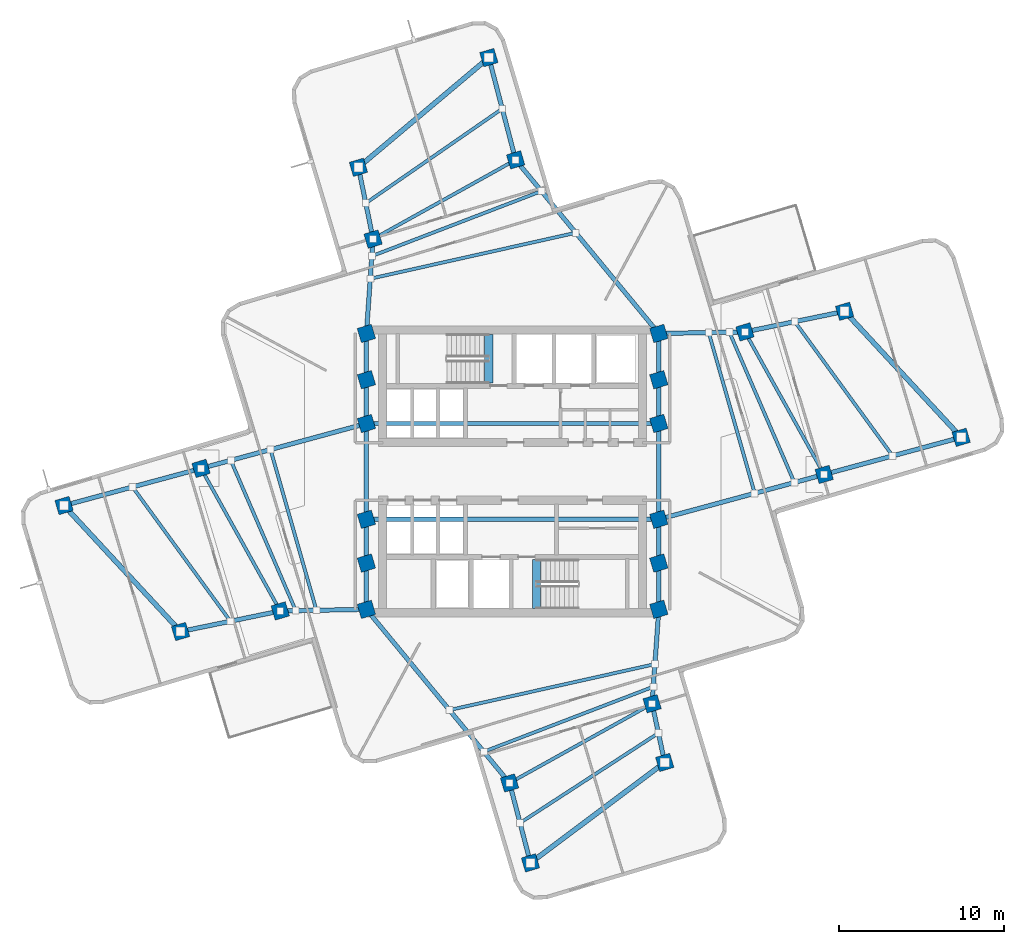
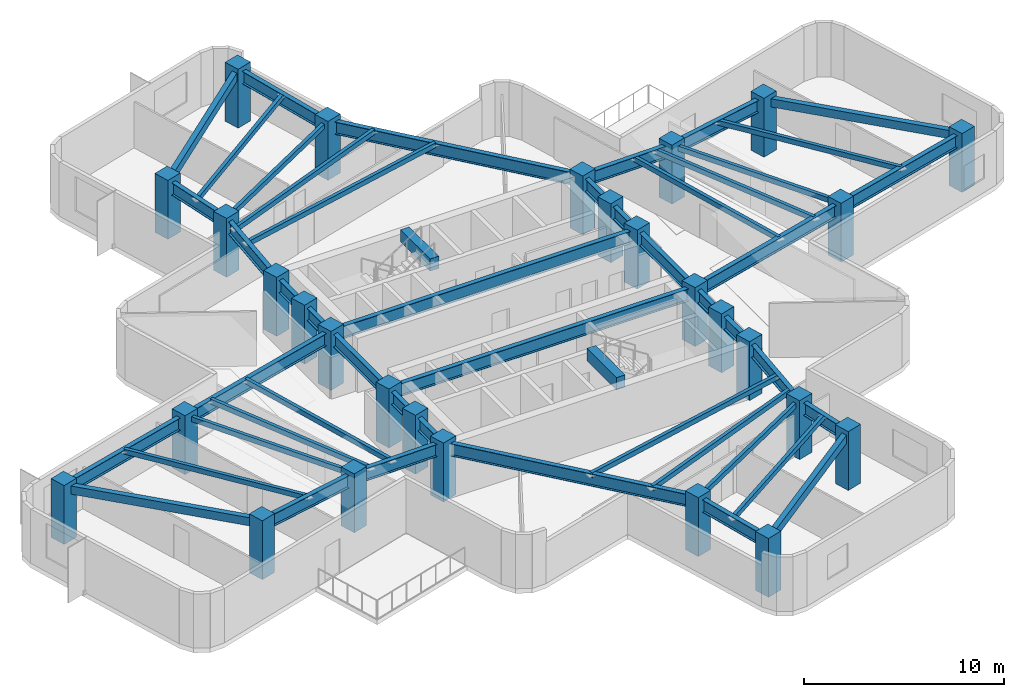
# One storey, part 1 of 8: 50 beams, 28 columns.
"""IFC4 building model written with IfcOpenShell, lengths in metres."""

from ifc_helpers import new_model, si_unit, direction, frame, origin, origin_2d, place, context, subcontext, project, spatial, rectangle, hollow_rectangle, i_section, extrude, material, material_profile, profile_set, type_object, element, save


model = new_model("IFC4")

# Units and contexts
model_context = context("Model", 3, precision=1e-05, world=origin(), true_north=direction((0.0, 1.0)))
body_context = subcontext(model_context, "Body", "Model", "MODEL_VIEW")
ifc_project = project(units=[si_unit("LENGTHUNIT", "METRE"), si_unit("AREAUNIT", "SQUARE_METRE"), si_unit("VOLUMEUNIT", "CUBIC_METRE"), si_unit("PLANEANGLEUNIT", "RADIAN"), si_unit("MASSUNIT", "GRAM", prefix="KILO")], contexts=[model_context])

# Site, building, storey
site_placement = place(None, origin())
site = spatial("IfcSite", under=ifc_project, at=site_placement, CompositionType="ELEMENT")
building_placement = place(site_placement, origin())
building = spatial("IfcBuilding", under=site, at=building_placement, Name="Solmarez Civic Tower", CompositionType="ELEMENT")
storey_placement = place(building_placement, frame((0.0, 0.0, 145.080078125)))
storey = spatial("IfcBuildingStorey", under=building, at=storey_placement, Name="L38", CompositionType="ELEMENT", Elevation=145.080078125)

# Columns
ifc_material_1 = material(Name="Concrete C50/60", Category="concrete")
ifc_material_profile_1 = material_profile(ifc_material_1, rectangle(XDim=0.89990234375, YDim=0.89990234375, at=origin_2d()), Name="RC900X900")
ifc_profile_set_1 = profile_set([ifc_material_profile_1], Name="Concrete C50/60")
column_type = type_object("IfcColumnType", Name="COL-RC900", PredefinedType="COLUMN", material=ifc_profile_set_1)
for number, where, z_axis, x_axis, name in (
    (1, (-8.85009765625, -5.550048828125, 0.0), (0.0, 0.0, 1.0), (0.958322574465, 0.285688367405, 0.0), "L38 Structural Column HC1"),
    (2, (-8.85009765625, -2.89990234375, 0.0), (0.0, 0.0, 1.0), (0.958322574465, 0.285688367405, 0.0), "L38 Structural Column HC2"),
    (3, (-8.85009765625, 2.89990234375, 0.0), (0.0, 0.0, 1.0), (0.958322574465, 0.285688367405, 0.0), "L38 Structural Column HC3"),
    (4, (-8.85009765625, 5.550048828125, 0.0), (0.0, 0.0, 1.0), (0.958322574465, 0.285688367405, 0.0), "L38 Structural Column HC4"),
    (5, (8.85009765625, -5.550048828125, 0.0), (0.0, 0.0, 1.0), (0.958322574465, 0.285688367405, 0.0), "L38 Structural Column HC5"),
    (6, (8.85009765625, -2.89990234375, 0.0), (0.0, 0.0, 1.0), (0.958322574465, 0.285688367405, 0.0), "L38 Structural Column HC6"),
    (7, (8.85009765625, 2.89990234375, 0.0), (0.0, 0.0, 1.0), (0.958322574465, 0.285688367405, 0.0), "L38 Structural Column HC7"),
    (8, (8.85009765625, 5.550048828125, 0.0), (0.0, 0.0, 1.0), (0.958322574465, 0.285688367405, 0.0), "L38 Structural Column HC8"),
    (9, (-8.85009765625, 8.35009765625, 0.0), (0.0, 0.0, 1.0), (0.958322574465, 0.285688367405, 0.0), "L38 Structural Column HC9"),
    (10, (8.85009765625, -8.35009765625, 0.0), (0.0, 0.0, 1.0), (0.958322574465, 0.285688367405, 0.0), "L38 Structural Column HC10"),
    (11, (8.85009765625, 8.35009765625, 0.0), (0.0, 0.0, 1.0), (0.958322574465, 0.285688367405, 0.0), "L38 Structural Column HC11"),
    (12, (-8.85009765625, -8.35009765625, 0.0), (0.0, 0.0, 1.0), (0.958322574465, 0.285688367405, 0.0), "L38 Structural Column HC12"),
    (13, (18.860107421875, -0.18310546875, 0.0), (0.0, 0.0, 1.0), (0.958322574465, 0.285688367405, 0.0), "L38 Structural Column EA11"),
    (14, (14.06396484375, 8.445068359375, 0.0), (0.0, 0.0, 1.0), (0.958322574465, 0.285688367405, 0.0), "L38 Structural Column EA12"),
    (15, (27.153076171875, 2.06396484375, 0.0), (0.0, 0.0, 1.0), (0.958322574465, 0.285688367405, 0.0), "L38 Structural Column EA21"),
    (16, (20.097900390625, 9.69189453125, 0.0), (0.0, 0.0, 1.0), (0.958322574465, 0.285688367405, 0.0), "L38 Structural Column EA22"),
    (17, (0.18310546875, 18.860107421875, 0.0), (0.0, 0.0, 1.0), (0.958322574465, 0.285688367405, 0.0), "L38 Structural Column NA11"),
    (18, (-8.445068359375, 14.06396484375, 0.0), (0.0, 0.0, 1.0), (0.958322574465, 0.285688367405, 0.0), "L38 Structural Column NA12"),
    (19, (-1.43701171875, 25.052001953125, 0.0), (0.0, 0.0, 1.0), (0.958322574465, 0.285688367405, 0.0), "L38 Structural Column NA21"),
    (20, (-9.3330078125, 18.408935546875, 0.0), (0.0, 0.0, 1.0), (0.958322574465, 0.285688367405, 0.0), "L38 Structural Column NA22"),
    (21, (-18.860107421875, 0.18310546875, 0.0), (0.0, 0.0, 1.0), (0.958322574465, 0.285688367405, 0.0), "L38 Structural Column WA11"),
    (22, (-14.06396484375, -8.445068359375, 0.0), (0.0, 0.0, 1.0), (0.958322574465, 0.285688367405, 0.0), "L38 Structural Column WA12"),
    (23, (-27.153076171875, -2.06396484375, 0.0), (0.0, 0.0, 1.0), (0.958322574465, 0.285688367405, 0.0), "L38 Structural Column WA21"),
    (24, (-20.097900390625, -9.69189453125, 0.0), (0.0, 0.0, 1.0), (0.958322574465, 0.285688367405, 0.0), "L38 Structural Column WA22"),
    (25, (-0.18310546875, -18.860107421875, 0.0), (0.0, 0.0, 1.0), (0.958322574465, 0.285688367405, 0.0), "L38 Structural Column SA11"),
    (26, (8.445068359375, -14.06396484375, 0.0), (0.0, 0.0, 1.0), (0.958322574465, 0.285688367405, 0.0), "L38 Structural Column SA12"),
    (27, (1.0830078125, -23.697021484375, 0.0), (0.0, 0.0, 1.0), (0.958322574465, 0.285688367405, 0.0), "L38 Structural Column SA21"),
    (28, (9.2080078125, -17.614990234375, 0.0), (0.0, 0.0, 1.0), (0.958322574465, 0.285688367405, 0.0), "L38 Structural Column SA22"),
):
    element("IfcColumn", number, at=place(storey_placement, frame(where, z_axis=z_axis, x_axis=x_axis)), inside=storey, type_object=column_type, Name=name, PredefinedType="COLUMN", context=body_context, shape_type="SweptSolid", body=[
        extrude(rectangle(XDim=0.89990234375, YDim=0.89990234375, at=origin_2d()), origin(), (0.0, 0.0, 1.0), 3.599853515625),
    ])

# Beams
ifc_material_2 = material(Name="Steel S355", Category="steel")
ifc_material_profile_2 = material_profile(ifc_material_2, hollow_rectangle(XDim=0.199951171875, YDim=0.300048828125, WallThickness=0.011962890625, at=origin_2d()), Name="HSS300X200X12")
ifc_profile_set_2 = profile_set([ifc_material_profile_2], Name="Steel S355")
beam_type_1 = type_object("IfcBeamType", Name="BM-JS-HSS300X200", PredefinedType="JOIST", material=ifc_profile_set_2)
beam_1_placement = place(storey_placement, frame((18.860107421875, -0.18310546875, 3.169921875), z_axis=(-0.485852902718, 0.874040592261, 0.0), x_axis=(-0.874040592261, -0.485852902718, 0.0)))
element("IfcBeam", 29, at=beam_1_placement, inside=storey, type_object=beam_type_1, Name="L38 Secondary Floor Joist BM-L38-EA-T1", PredefinedType="JOIST", context=body_context, shape_type="SweptSolid", body=[
    extrude(hollow_rectangle(XDim=0.199951171875, YDim=0.300048828125, WallThickness=0.011962890625, at=origin_2d()), origin(), (0.0, 0.0, 1.0), 9.87158203125),
])
beam_2_placement = place(storey_placement, frame((23.006103515625, 0.94091796875, 3.169921875), z_axis=(-0.589058914091, 0.808090091345, 0.0), x_axis=(-0.808090091345, -0.589058914091, 0.0)))
element("IfcBeam", 30, at=beam_2_placement, inside=storey, type_object=beam_type_1, Name="L38 Secondary Floor Joist JS-L38-EA-M2", PredefinedType="JOIST", context=body_context, shape_type="SweptSolid", body=[
    extrude(hollow_rectangle(XDim=0.199951171875, YDim=0.300048828125, WallThickness=0.011962890625, at=origin_2d()), origin(), (0.0, 0.0, 1.0), 10.05859375),
])
beam_3_placement = place(storey_placement, frame((14.656005859375, -1.323974609375, 3.169921875), z_axis=(-0.27492825036, 0.961464745664, 0.0), x_axis=(-0.961464745664, -0.27492825036, 0.0)))
element("IfcBeam", 31, at=beam_3_placement, inside=storey, type_object=beam_type_1, Name="L38 Secondary Floor Joist JS-L38-EA-M11", PredefinedType="JOIST", context=body_context, shape_type="SweptSolid", body=[
    extrude(hollow_rectangle(XDim=0.199951171875, YDim=0.300048828125, WallThickness=0.011962890625, at=origin_2d()), origin(), (0.0, 0.0, 1.0), 10.118896484375),
])
beam_4_placement = place(storey_placement, frame((17.05810546875, -0.672119140625, 3.169921875), z_axis=(-0.396735074316, 0.917933157048, 0.0), x_axis=(-0.917933157048, -0.396735074316, 0.0)))
element("IfcBeam", 32, at=beam_4_placement, inside=storey, type_object=beam_type_1, Name="L38 Secondary Floor Joist JS-L38-EA-M12", PredefinedType="JOIST", context=body_context, shape_type="SweptSolid", body=[
    extrude(hollow_rectangle(XDim=0.199951171875, YDim=0.300048828125, WallThickness=0.011962890625, at=origin_2d()), origin(), (0.0, 0.0, 1.0), 9.91357421875),
])
beam_5_placement = place(storey_placement, frame((0.18310546875, 18.860107421875, 3.169921875), z_axis=(-0.874040592261, -0.485852902718, 0.0), x_axis=(0.485852902718, -0.874040592261, 0.0)))
element("IfcBeam", 33, at=beam_5_placement, inside=storey, type_object=beam_type_1, Name="L38 Secondary Floor Joist BM-L38-NA-T1", PredefinedType="JOIST", context=body_context, shape_type="SweptSolid", body=[
    extrude(hollow_rectangle(XDim=0.199951171875, YDim=0.300048828125, WallThickness=0.011962890625, at=origin_2d()), origin(), (0.0, 0.0, 1.0), 9.87158203125),
])
beam_6_placement = place(storey_placement, frame((-0.626953125, 21.9560546875, 3.169921875), z_axis=(-0.822185194468, -0.56922008573, 0.0), x_axis=(0.56922008573, -0.822185194468, 0.0)))
element("IfcBeam", 34, at=beam_6_placement, inside=storey, type_object=beam_type_1, Name="L38 Secondary Floor Joist JS-L38-NA-M2", PredefinedType="JOIST", context=body_context, shape_type="SweptSolid", body=[
    extrude(hollow_rectangle(XDim=0.199951171875, YDim=0.300048828125, WallThickness=0.011962890625, at=origin_2d()), origin(), (0.0, 0.0, 1.0), 10.048828125),
])
beam_7_placement = place(storey_placement, frame((3.822998046875, 14.446044921875, 3.169921875), z_axis=(-0.975887310906, -0.218274955988, 0.0), x_axis=(0.218274955988, -0.975887310906, 0.0)))
element("IfcBeam", 35, at=beam_7_placement, inside=storey, type_object=beam_type_1, Name="L38 Secondary Floor Joist JS-L38-NA-M11", PredefinedType="JOIST", context=body_context, shape_type="SweptSolid", body=[
    extrude(hollow_rectangle(XDim=0.199951171875, YDim=0.300048828125, WallThickness=0.011962890625, at=origin_2d()), origin(), (0.0, 0.0, 1.0), 12.745361328125),
])
beam_8_placement = place(storey_placement, frame((1.742919921875, 16.968017578125, 3.169921875), z_axis=(-0.933754408709, -0.357914381125, 0.0), x_axis=(0.357914381125, -0.933754408709, 0.0)))
element("IfcBeam", 36, at=beam_8_placement, inside=storey, type_object=beam_type_1, Name="L38 Secondary Floor Joist JS-L38-NA-M12", PredefinedType="JOIST", context=body_context, shape_type="SweptSolid", body=[
    extrude(hollow_rectangle(XDim=0.199951171875, YDim=0.300048828125, WallThickness=0.011962890625, at=origin_2d()), origin(), (0.0, 0.0, 1.0), 10.989013671875),
])
beam_9_placement = place(storey_placement, frame((-18.860107421875, 0.18310546875, 3.169921875), z_axis=(0.485852902718, -0.874040592261, 0.0), x_axis=(0.874040592261, 0.485852902718, 0.0)))
element("IfcBeam", 37, at=beam_9_placement, inside=storey, type_object=beam_type_1, Name="L38 Secondary Floor Joist BM-L38-WA-T1", PredefinedType="JOIST", context=body_context, shape_type="SweptSolid", body=[
    extrude(hollow_rectangle(XDim=0.199951171875, YDim=0.300048828125, WallThickness=0.011962890625, at=origin_2d()), origin(), (0.0, 0.0, 1.0), 9.87158203125),
])
beam_10_placement = place(storey_placement, frame((-23.006103515625, -0.94091796875, 3.169921875), z_axis=(0.589058914091, -0.808090091345, 0.0), x_axis=(0.808090091345, 0.589058914091, 0.0)))
element("IfcBeam", 38, at=beam_10_placement, inside=storey, type_object=beam_type_1, Name="L38 Secondary Floor Joist JS-L38-WA-M2", PredefinedType="JOIST", context=body_context, shape_type="SweptSolid", body=[
    extrude(hollow_rectangle(XDim=0.199951171875, YDim=0.300048828125, WallThickness=0.011962890625, at=origin_2d()), origin(), (0.0, 0.0, 1.0), 10.05859375),
])
beam_11_placement = place(storey_placement, frame((-14.656005859375, 1.323974609375, 3.169921875), z_axis=(0.27492825036, -0.961464745664, 0.0), x_axis=(0.961464745664, 0.27492825036, 0.0)))
element("IfcBeam", 39, at=beam_11_placement, inside=storey, type_object=beam_type_1, Name="L38 Secondary Floor Joist JS-L38-WA-M11", PredefinedType="JOIST", context=body_context, shape_type="SweptSolid", body=[
    extrude(hollow_rectangle(XDim=0.199951171875, YDim=0.300048828125, WallThickness=0.011962890625, at=origin_2d()), origin(), (0.0, 0.0, 1.0), 10.118896484375),
])
beam_12_placement = place(storey_placement, frame((-17.05810546875, 0.672119140625, 3.169921875), z_axis=(0.396735074316, -0.917933157048, 0.0), x_axis=(0.917933157048, 0.396735074316, 0.0)))
element("IfcBeam", 40, at=beam_12_placement, inside=storey, type_object=beam_type_1, Name="L38 Secondary Floor Joist JS-L38-WA-M12", PredefinedType="JOIST", context=body_context, shape_type="SweptSolid", body=[
    extrude(hollow_rectangle(XDim=0.199951171875, YDim=0.300048828125, WallThickness=0.011962890625, at=origin_2d()), origin(), (0.0, 0.0, 1.0), 9.91357421875),
])
beam_13_placement = place(storey_placement, frame((-0.18310546875, -18.860107421875, 3.169921875), z_axis=(0.874040592261, 0.485852902718, 0.0), x_axis=(-0.485852902718, 0.874040592261, 0.0)))
element("IfcBeam", 41, at=beam_13_placement, inside=storey, type_object=beam_type_1, Name="L38 Secondary Floor Joist BM-L38-SA-T1", PredefinedType="JOIST", context=body_context, shape_type="SweptSolid", body=[
    extrude(hollow_rectangle(XDim=0.199951171875, YDim=0.300048828125, WallThickness=0.011962890625, at=origin_2d()), origin(), (0.0, 0.0, 1.0), 9.87158203125),
])
beam_14_placement = place(storey_placement, frame((0.449951171875, -21.279052734375, 3.169921875), z_axis=(0.83864684805, 0.54467555871, 0.0), x_axis=(-0.54467555871, 0.83864684805, 0.0)))
element("IfcBeam", 42, at=beam_14_placement, inside=storey, type_object=beam_type_1, Name="L38 Secondary Floor Joist JS-L38-SA-M2", PredefinedType="JOIST", context=body_context, shape_type="SweptSolid", body=[
    extrude(hollow_rectangle(XDim=0.199951171875, YDim=0.300048828125, WallThickness=0.011962890625, at=origin_2d()), origin(), (0.0, 0.0, 1.0), 9.987548828125),
])
beam_15_placement = place(storey_placement, frame((-3.822998046875, -14.446044921875, 3.169921875), z_axis=(0.975887310906, 0.218274955988, 0.0), x_axis=(-0.218274955988, 0.975887310906, 0.0)))
element("IfcBeam", 43, at=beam_15_placement, inside=storey, type_object=beam_type_1, Name="L38 Secondary Floor Joist JS-L38-SA-M11", PredefinedType="JOIST", context=body_context, shape_type="SweptSolid", body=[
    extrude(hollow_rectangle(XDim=0.199951171875, YDim=0.300048828125, WallThickness=0.011962890625, at=origin_2d()), origin(), (0.0, 0.0, 1.0), 12.745361328125),
])
beam_16_placement = place(storey_placement, frame((-1.742919921875, -16.968017578125, 3.169921875), z_axis=(0.933754408709, 0.357914381125, 0.0), x_axis=(-0.357914381125, 0.933754408709, 0.0)))
element("IfcBeam", 44, at=beam_16_placement, inside=storey, type_object=beam_type_1, Name="L38 Secondary Floor Joist JS-L38-SA-M12", PredefinedType="JOIST", context=body_context, shape_type="SweptSolid", body=[
    extrude(hollow_rectangle(XDim=0.199951171875, YDim=0.300048828125, WallThickness=0.011962890625, at=origin_2d()), origin(), (0.0, 0.0, 1.0), 10.989013671875),
])
ifc_material_profile_3 = material_profile(ifc_material_1, rectangle(XDim=0.5, YDim=0.75, at=origin_2d()), Name="RC500X750")
ifc_profile_set_3 = profile_set([ifc_material_profile_3], Name="Concrete C50/60")
beam_type_2 = type_object("IfcBeamType", Name="BM-PR-RC500X750", PredefinedType="BEAM", material=ifc_profile_set_3)
for number, where, z_axis, x_axis, name in (
    (45, (-1.449951171875, 5.340087890625, 3.23291015625), (0.0, 1.0, 0.0), (-1.0, 0.0, 0.0), "L38 North Stair Threshold Beam"),
    (46, (1.449951171875, -8.300048828125, 3.23291015625), (0.0, 1.0, 0.0), (-1.0, 0.0, 0.0), "L38 South Stair Threshold Beam"),
):
    element("IfcBeam", number, at=place(storey_placement, frame(where, z_axis=z_axis, x_axis=x_axis)), inside=storey, type_object=beam_type_2, Name=name, PredefinedType="BEAM", context=body_context, shape_type="SweptSolid", body=[
        extrude(rectangle(XDim=0.5, YDim=0.75, at=origin_2d()), origin(), (0.0, 0.0, 1.0), 2.9599609375),
    ])
ifc_material_profile_4 = material_profile(ifc_material_2, i_section(OverallWidth=0.26708984375, OverallDepth=0.761962890625, WebThickness=0.014404296875, FlangeThickness=0.021484375, at=origin_2d()), Name="W30X116")
ifc_profile_set_4 = profile_set([ifc_material_profile_4], Name="Steel S355")
beam_type_3 = type_object("IfcBeamType", Name="BM-PR-W30X116", PredefinedType="BEAM", material=ifc_profile_set_4)
beam_17_placement = place(storey_placement, frame((-8.85009765625, -8.35009765625, 2.93896484375), z_axis=(0.0, 1.0, 0.0), x_axis=(-1.0, 0.0, 0.0)))
element("IfcBeam", 47, at=beam_17_placement, inside=storey, type_object=beam_type_3, Name="L38 Primary Floor Beam BM-L38-HC12-HC1", PredefinedType="BEAM", context=body_context, shape_type="SweptSolid", body=[
    extrude(i_section(OverallWidth=0.26708984375, OverallDepth=0.761962890625, WebThickness=0.014404296875, FlangeThickness=0.021484375, at=origin_2d()), origin(), (0.0, 0.0, 1.0), 2.800048828125),
])
beam_18_placement = place(storey_placement, frame((-8.85009765625, -5.550048828125, 2.93896484375), z_axis=(0.0, 1.0, 0.0), x_axis=(-1.0, 0.0, 0.0)))
element("IfcBeam", 48, at=beam_18_placement, inside=storey, type_object=beam_type_3, Name="L38 Primary Floor Beam BM-L38-HC1-HC2", PredefinedType="BEAM", context=body_context, shape_type="SweptSolid", body=[
    extrude(i_section(OverallWidth=0.26708984375, OverallDepth=0.761962890625, WebThickness=0.014404296875, FlangeThickness=0.021484375, at=origin_2d()), origin(), (0.0, 0.0, 1.0), 2.650146484375),
])
beam_19_placement = place(storey_placement, frame((-8.85009765625, -2.89990234375, 2.93896484375), z_axis=(0.0, 1.0, 0.0), x_axis=(-1.0, 0.0, 0.0)))
element("IfcBeam", 49, at=beam_19_placement, inside=storey, type_object=beam_type_3, Name="L38 Primary Floor Beam BM-L38-HC2-HC3", PredefinedType="BEAM", context=body_context, shape_type="SweptSolid", body=[
    extrude(i_section(OverallWidth=0.26708984375, OverallDepth=0.761962890625, WebThickness=0.014404296875, FlangeThickness=0.021484375, at=origin_2d()), origin(), (0.0, 0.0, 1.0), 5.7998046875),
])
beam_20_placement = place(storey_placement, frame((-8.85009765625, 2.89990234375, 2.93896484375), z_axis=(0.0, 1.0, 0.0), x_axis=(-1.0, 0.0, 0.0)))
element("IfcBeam", 50, at=beam_20_placement, inside=storey, type_object=beam_type_3, Name="L38 Primary Floor Beam BM-L38-HC3-HC4", PredefinedType="BEAM", context=body_context, shape_type="SweptSolid", body=[
    extrude(i_section(OverallWidth=0.26708984375, OverallDepth=0.761962890625, WebThickness=0.014404296875, FlangeThickness=0.021484375, at=origin_2d()), origin(), (0.0, 0.0, 1.0), 2.650146484375),
])
for number, where, z_axis, x_axis, name in (
    (51, (-8.85009765625, 5.550048828125, 2.93896484375), (0.0, 1.0, 0.0), (-1.0, 0.0, 0.0), "L38 Primary Floor Beam BM-L38-HC4-HC9"),
    (52, (8.85009765625, -8.35009765625, 2.93896484375), (0.0, 1.0, 0.0), (-1.0, 0.0, 0.0), "L38 Primary Floor Beam BM-L38-HC10-HC5"),
):
    element("IfcBeam", number, at=place(storey_placement, frame(where, z_axis=z_axis, x_axis=x_axis)), inside=storey, type_object=beam_type_3, Name=name, PredefinedType="BEAM", context=body_context, shape_type="SweptSolid", body=[
        extrude(i_section(OverallWidth=0.26708984375, OverallDepth=0.761962890625, WebThickness=0.014404296875, FlangeThickness=0.021484375, at=origin_2d()), origin(), (0.0, 0.0, 1.0), 2.800048828125),
    ])
beam_21_placement = place(storey_placement, frame((8.85009765625, -5.550048828125, 2.93896484375), z_axis=(0.0, 1.0, 0.0), x_axis=(-1.0, 0.0, 0.0)))
element("IfcBeam", 53, at=beam_21_placement, inside=storey, type_object=beam_type_3, Name="L38 Primary Floor Beam BM-L38-HC5-HC6", PredefinedType="BEAM", context=body_context, shape_type="SweptSolid", body=[
    extrude(i_section(OverallWidth=0.26708984375, OverallDepth=0.761962890625, WebThickness=0.014404296875, FlangeThickness=0.021484375, at=origin_2d()), origin(), (0.0, 0.0, 1.0), 2.650146484375),
])
beam_22_placement = place(storey_placement, frame((8.85009765625, -2.89990234375, 2.93896484375), z_axis=(0.0, 1.0, 0.0), x_axis=(-1.0, 0.0, 0.0)))
element("IfcBeam", 54, at=beam_22_placement, inside=storey, type_object=beam_type_3, Name="L38 Primary Floor Beam BM-L38-HC6-HC7", PredefinedType="BEAM", context=body_context, shape_type="SweptSolid", body=[
    extrude(i_section(OverallWidth=0.26708984375, OverallDepth=0.761962890625, WebThickness=0.014404296875, FlangeThickness=0.021484375, at=origin_2d()), origin(), (0.0, 0.0, 1.0), 5.7998046875),
])
beam_23_placement = place(storey_placement, frame((8.85009765625, 2.89990234375, 2.93896484375), z_axis=(0.0, 1.0, 0.0), x_axis=(-1.0, 0.0, 0.0)))
element("IfcBeam", 55, at=beam_23_placement, inside=storey, type_object=beam_type_3, Name="L38 Primary Floor Beam BM-L38-HC7-HC8", PredefinedType="BEAM", context=body_context, shape_type="SweptSolid", body=[
    extrude(i_section(OverallWidth=0.26708984375, OverallDepth=0.761962890625, WebThickness=0.014404296875, FlangeThickness=0.021484375, at=origin_2d()), origin(), (0.0, 0.0, 1.0), 2.650146484375),
])
beam_24_placement = place(storey_placement, frame((8.85009765625, 5.550048828125, 2.93896484375), z_axis=(0.0, 1.0, 0.0), x_axis=(-1.0, 0.0, 0.0)))
element("IfcBeam", 56, at=beam_24_placement, inside=storey, type_object=beam_type_3, Name="L38 Primary Floor Beam BM-L38-HC8-HC11", PredefinedType="BEAM", context=body_context, shape_type="SweptSolid", body=[
    extrude(i_section(OverallWidth=0.26708984375, OverallDepth=0.761962890625, WebThickness=0.014404296875, FlangeThickness=0.021484375, at=origin_2d()), origin(), (0.0, 0.0, 1.0), 2.800048828125),
])
for number, where, z_axis, x_axis, name in (
    (57, (-8.85009765625, -2.89990234375, 2.93896484375), (1.0, 0.0, 0.0), (0.0, 1.0, 0.0), "L38 Primary Floor Beam BM-L38-HC2-HC6"),
    (58, (-8.85009765625, 2.89990234375, 2.93896484375), (1.0, 0.0, 0.0), (0.0, 1.0, 0.0), "L38 Primary Floor Beam BM-L38-HC3-HC7"),
):
    element("IfcBeam", number, at=place(storey_placement, frame(where, z_axis=z_axis, x_axis=x_axis)), inside=storey, type_object=beam_type_3, Name=name, PredefinedType="BEAM", context=body_context, shape_type="SweptSolid", body=[
        extrude(i_section(OverallWidth=0.26708984375, OverallDepth=0.761962890625, WebThickness=0.014404296875, FlangeThickness=0.021484375, at=origin_2d()), origin(), (0.0, 0.0, 1.0), 17.7001953125),
    ])
beam_25_placement = place(storey_placement, frame((8.85009765625, -2.89990234375, 2.93896484375), z_axis=(0.965086289853, 0.261932153691, 0.0), x_axis=(-0.261932153691, 0.965086289853, 0.0)))
element("IfcBeam", 59, at=beam_25_placement, inside=storey, type_object=beam_type_3, Name="L38 Primary Floor Beam BM-L38-EA-R1A", PredefinedType="BEAM", context=body_context, shape_type="SweptSolid", body=[
    extrude(i_section(OverallWidth=0.26708984375, OverallDepth=0.761962890625, WebThickness=0.014404296875, FlangeThickness=0.021484375, at=origin_2d()), origin(), (0.0, 0.0, 1.0), 10.3720703125),
])
beam_26_placement = place(storey_placement, frame((8.85009765625, 8.35009765625, 2.93896484375), z_axis=(0.999834147765, 0.018212000538, 0.0), x_axis=(-0.018212000538, 0.999834147765, 0.0)))
element("IfcBeam", 60, at=beam_26_placement, inside=storey, type_object=beam_type_3, Name="L38 Primary Floor Beam BM-L38-EA-R1B", PredefinedType="BEAM", context=body_context, shape_type="SweptSolid", body=[
    extrude(i_section(OverallWidth=0.26708984375, OverallDepth=0.761962890625, WebThickness=0.014404296875, FlangeThickness=0.021484375, at=origin_2d()), origin(), (0.0, 0.0, 1.0), 5.21484375),
])
beam_27_placement = place(storey_placement, frame((18.860107421875, -0.18310546875, 2.93896484375), z_axis=(0.965195296066, 0.261530190326, 0.0), x_axis=(-0.261530190326, 0.965195296066, 0.0)))
element("IfcBeam", 61, at=beam_27_placement, inside=storey, type_object=beam_type_3, Name="L38 Primary Floor Beam BM-L38-EA-R2A", PredefinedType="BEAM", context=body_context, shape_type="SweptSolid", body=[
    extrude(i_section(OverallWidth=0.26708984375, OverallDepth=0.761962890625, WebThickness=0.014404296875, FlangeThickness=0.021484375, at=origin_2d()), origin(), (0.0, 0.0, 1.0), 8.592041015625),
])
beam_28_placement = place(storey_placement, frame((14.06396484375, 8.445068359375, 2.93896484375), z_axis=(0.979311082476, 0.202360578523, 0.0), x_axis=(-0.202360578523, 0.979311082476, 0.0)))
element("IfcBeam", 62, at=beam_28_placement, inside=storey, type_object=beam_type_3, Name="L38 Primary Floor Beam BM-L38-EA-R2B", PredefinedType="BEAM", context=body_context, shape_type="SweptSolid", body=[
    extrude(i_section(OverallWidth=0.26708984375, OverallDepth=0.761962890625, WebThickness=0.014404296875, FlangeThickness=0.021484375, at=origin_2d()), origin(), (0.0, 0.0, 1.0), 6.161376953125),
])
beam_29_placement = place(storey_placement, frame((8.85009765625, 8.35009765625, 2.93896484375), z_axis=(-0.636218453069, 0.77150896299, 0.0), x_axis=(-0.77150896299, -0.636218453069, 0.0)))
element("IfcBeam", 63, at=beam_29_placement, inside=storey, type_object=beam_type_3, Name="L38 Primary Floor Beam BM-L38-NA-R1A", PredefinedType="BEAM", context=body_context, shape_type="SweptSolid", body=[
    extrude(i_section(OverallWidth=0.26708984375, OverallDepth=0.761962890625, WebThickness=0.014404296875, FlangeThickness=0.021484375, at=origin_2d()), origin(), (0.0, 0.0, 1.0), 13.62255859375),
])
beam_30_placement = place(storey_placement, frame((-8.85009765625, 8.35009765625, 2.93896484375), z_axis=(0.070707897353, 0.997497064282, 0.0), x_axis=(-0.997497064282, 0.070707897353, 0.0)))
element("IfcBeam", 64, at=beam_30_placement, inside=storey, type_object=beam_type_3, Name="L38 Primary Floor Beam BM-L38-NA-R1B", PredefinedType="BEAM", context=body_context, shape_type="SweptSolid", body=[
    extrude(i_section(OverallWidth=0.26708984375, OverallDepth=0.761962890625, WebThickness=0.014404296875, FlangeThickness=0.021484375, at=origin_2d()), origin(), (0.0, 0.0, 1.0), 5.728271484375),
])
beam_31_placement = place(storey_placement, frame((0.18310546875, 18.860107421875, 2.93896484375), z_axis=(-0.25312990791, 0.967432297229, 0.0), x_axis=(-0.967432297229, -0.25312990791, 0.0)))
element("IfcBeam", 65, at=beam_31_placement, inside=storey, type_object=beam_type_3, Name="L38 Primary Floor Beam BM-L38-NA-R2A", PredefinedType="BEAM", context=body_context, shape_type="SweptSolid", body=[
    extrude(i_section(OverallWidth=0.26708984375, OverallDepth=0.761962890625, WebThickness=0.014404296875, FlangeThickness=0.021484375, at=origin_2d()), origin(), (0.0, 0.0, 1.0), 6.400390625),
])
beam_32_placement = place(storey_placement, frame((-8.445068359375, 14.06396484375, 2.93896484375), z_axis=(-0.200222099018, 0.979750535118, 0.0), x_axis=(-0.979750535118, -0.200222099018, 0.0)))
element("IfcBeam", 66, at=beam_32_placement, inside=storey, type_object=beam_type_3, Name="L38 Primary Floor Beam BM-L38-NA-R2B", PredefinedType="BEAM", context=body_context, shape_type="SweptSolid", body=[
    extrude(i_section(OverallWidth=0.26708984375, OverallDepth=0.761962890625, WebThickness=0.014404296875, FlangeThickness=0.021484375, at=origin_2d()), origin(), (0.0, 0.0, 1.0), 4.434814453125),
])
beam_33_placement = place(storey_placement, frame((-8.85009765625, 2.89990234375, 2.93896484375), z_axis=(-0.965086289853, -0.261932153691, 0.0), x_axis=(0.261932153691, -0.965086289853, 0.0)))
element("IfcBeam", 67, at=beam_33_placement, inside=storey, type_object=beam_type_3, Name="L38 Primary Floor Beam BM-L38-WA-R1A", PredefinedType="BEAM", context=body_context, shape_type="SweptSolid", body=[
    extrude(i_section(OverallWidth=0.26708984375, OverallDepth=0.761962890625, WebThickness=0.014404296875, FlangeThickness=0.021484375, at=origin_2d()), origin(), (0.0, 0.0, 1.0), 10.3720703125),
])
beam_34_placement = place(storey_placement, frame((-8.85009765625, -8.35009765625, 2.93896484375), z_axis=(-0.999834147765, -0.018212000538, 0.0), x_axis=(0.018212000538, -0.999834147765, 0.0)))
element("IfcBeam", 68, at=beam_34_placement, inside=storey, type_object=beam_type_3, Name="L38 Primary Floor Beam BM-L38-WA-R1B", PredefinedType="BEAM", context=body_context, shape_type="SweptSolid", body=[
    extrude(i_section(OverallWidth=0.26708984375, OverallDepth=0.761962890625, WebThickness=0.014404296875, FlangeThickness=0.021484375, at=origin_2d()), origin(), (0.0, 0.0, 1.0), 5.21484375),
])
beam_35_placement = place(storey_placement, frame((-18.860107421875, 0.18310546875, 2.93896484375), z_axis=(-0.965195296066, -0.261530190326, 0.0), x_axis=(0.261530190326, -0.965195296066, 0.0)))
element("IfcBeam", 69, at=beam_35_placement, inside=storey, type_object=beam_type_3, Name="L38 Primary Floor Beam BM-L38-WA-R2A", PredefinedType="BEAM", context=body_context, shape_type="SweptSolid", body=[
    extrude(i_section(OverallWidth=0.26708984375, OverallDepth=0.761962890625, WebThickness=0.014404296875, FlangeThickness=0.021484375, at=origin_2d()), origin(), (0.0, 0.0, 1.0), 8.592041015625),
])
beam_36_placement = place(storey_placement, frame((-14.06396484375, -8.445068359375, 2.93896484375), z_axis=(-0.979311082476, -0.202360578523, 0.0), x_axis=(0.202360578523, -0.979311082476, 0.0)))
element("IfcBeam", 70, at=beam_36_placement, inside=storey, type_object=beam_type_3, Name="L38 Primary Floor Beam BM-L38-WA-R2B", PredefinedType="BEAM", context=body_context, shape_type="SweptSolid", body=[
    extrude(i_section(OverallWidth=0.26708984375, OverallDepth=0.761962890625, WebThickness=0.014404296875, FlangeThickness=0.021484375, at=origin_2d()), origin(), (0.0, 0.0, 1.0), 6.161376953125),
])
beam_37_placement = place(storey_placement, frame((-8.85009765625, -8.35009765625, 2.93896484375), z_axis=(0.636218453069, -0.77150896299, 0.0), x_axis=(0.77150896299, 0.636218453069, 0.0)))
element("IfcBeam", 71, at=beam_37_placement, inside=storey, type_object=beam_type_3, Name="L38 Primary Floor Beam BM-L38-SA-R1A", PredefinedType="BEAM", context=body_context, shape_type="SweptSolid", body=[
    extrude(i_section(OverallWidth=0.26708984375, OverallDepth=0.761962890625, WebThickness=0.014404296875, FlangeThickness=0.021484375, at=origin_2d()), origin(), (0.0, 0.0, 1.0), 13.62255859375),
])
beam_38_placement = place(storey_placement, frame((8.85009765625, -8.35009765625, 2.93896484375), z_axis=(-0.070707897353, -0.997497064282, 0.0), x_axis=(0.997497064282, -0.070707897353, 0.0)))
element("IfcBeam", 72, at=beam_38_placement, inside=storey, type_object=beam_type_3, Name="L38 Primary Floor Beam BM-L38-SA-R1B", PredefinedType="BEAM", context=body_context, shape_type="SweptSolid", body=[
    extrude(i_section(OverallWidth=0.26708984375, OverallDepth=0.761962890625, WebThickness=0.014404296875, FlangeThickness=0.021484375, at=origin_2d()), origin(), (0.0, 0.0, 1.0), 5.728271484375),
])
beam_39_placement = place(storey_placement, frame((-0.18310546875, -18.860107421875, 2.93896484375), z_axis=(0.253228832632, -0.967406408043, 0.0), x_axis=(0.967406408043, 0.253228832632, 0.0)))
element("IfcBeam", 73, at=beam_39_placement, inside=storey, type_object=beam_type_3, Name="L38 Primary Floor Beam BM-L38-SA-R2A", PredefinedType="BEAM", context=body_context, shape_type="SweptSolid", body=[
    extrude(i_section(OverallWidth=0.26708984375, OverallDepth=0.761962890625, WebThickness=0.014404296875, FlangeThickness=0.021484375, at=origin_2d()), origin(), (0.0, 0.0, 1.0), 5.0),
])
beam_40_placement = place(storey_placement, frame((8.445068359375, -14.06396484375, 2.93896484375), z_axis=(0.210056967216, -0.977689148208, 0.0), x_axis=(0.977689148208, 0.210056967216, 0.0)))
element("IfcBeam", 74, at=beam_40_placement, inside=storey, type_object=beam_type_3, Name="L38 Primary Floor Beam BM-L38-SA-R2B", PredefinedType="BEAM", context=body_context, shape_type="SweptSolid", body=[
    extrude(i_section(OverallWidth=0.26708984375, OverallDepth=0.761962890625, WebThickness=0.014404296875, FlangeThickness=0.021484375, at=origin_2d()), origin(), (0.0, 0.0, 1.0), 3.632080078125),
])
ifc_material_profile_5 = material_profile(ifc_material_2, hollow_rectangle(XDim=0.300048828125, YDim=0.5, WallThickness=0.02001953125, at=origin_2d()), Name="HSS500X300X20")
ifc_profile_set_5 = profile_set([ifc_material_profile_5], Name="Steel S355")
beam_type_4 = type_object("IfcBeamType", Name="BM-SP-HSS500X300", PredefinedType="SPANDREL", material=ifc_profile_set_5)
beam_41_placement = place(storey_placement, frame((27.153076171875, 2.06396484375, 3.06982421875), z_axis=(-0.679007792344, 0.734131063187, 0.0), x_axis=(-0.734131063187, -0.679007792344, 0.0)))
element("IfcBeam", 75, at=beam_41_placement, inside=storey, type_object=beam_type_4, Name="L38 Perimeter Spandrel Beam BM-L38-EA-T2", PredefinedType="SPANDREL", context=body_context, shape_type="SweptSolid", body=[
    extrude(hollow_rectangle(XDim=0.300048828125, YDim=0.5, WallThickness=0.02001953125, at=origin_2d()), origin(), (0.0, 0.0, 1.0), 10.390380859375),
])
beam_42_placement = place(storey_placement, frame((-1.43701171875, 25.052001953125, 3.06982421875), z_axis=(-0.765206846446, -0.643784499777, 0.0), x_axis=(0.643784499777, -0.765206846446, 0.0)))
element("IfcBeam", 76, at=beam_42_placement, inside=storey, type_object=beam_type_4, Name="L38 Perimeter Spandrel Beam BM-L38-NA-T2", PredefinedType="SPANDREL", context=body_context, shape_type="SweptSolid", body=[
    extrude(hollow_rectangle(XDim=0.300048828125, YDim=0.5, WallThickness=0.02001953125, at=origin_2d()), origin(), (0.0, 0.0, 1.0), 10.31884765625),
])
beam_43_placement = place(storey_placement, frame((-27.153076171875, -2.06396484375, 3.06982421875), z_axis=(0.679007792344, -0.734131063187, 0.0), x_axis=(0.734131063187, 0.679007792344, 0.0)))
element("IfcBeam", 77, at=beam_43_placement, inside=storey, type_object=beam_type_4, Name="L38 Perimeter Spandrel Beam BM-L38-WA-T2", PredefinedType="SPANDREL", context=body_context, shape_type="SweptSolid", body=[
    extrude(hollow_rectangle(XDim=0.300048828125, YDim=0.5, WallThickness=0.02001953125, at=origin_2d()), origin(), (0.0, 0.0, 1.0), 10.390380859375),
])
beam_44_placement = place(storey_placement, frame((1.0830078125, -23.697021484375, 3.06982421875), z_axis=(0.800553888314, 0.599260771205, 0.0), x_axis=(-0.599260771205, 0.800553888314, 0.0)))
element("IfcBeam", 78, at=beam_44_placement, inside=storey, type_object=beam_type_4, Name="L38 Perimeter Spandrel Beam BM-L38-SA-T2", PredefinedType="SPANDREL", context=body_context, shape_type="SweptSolid", body=[
    extrude(hollow_rectangle(XDim=0.300048828125, YDim=0.5, WallThickness=0.02001953125, at=origin_2d()), origin(), (0.0, 0.0, 1.0), 10.149169921875),
])

save(model, "model.ifc")
